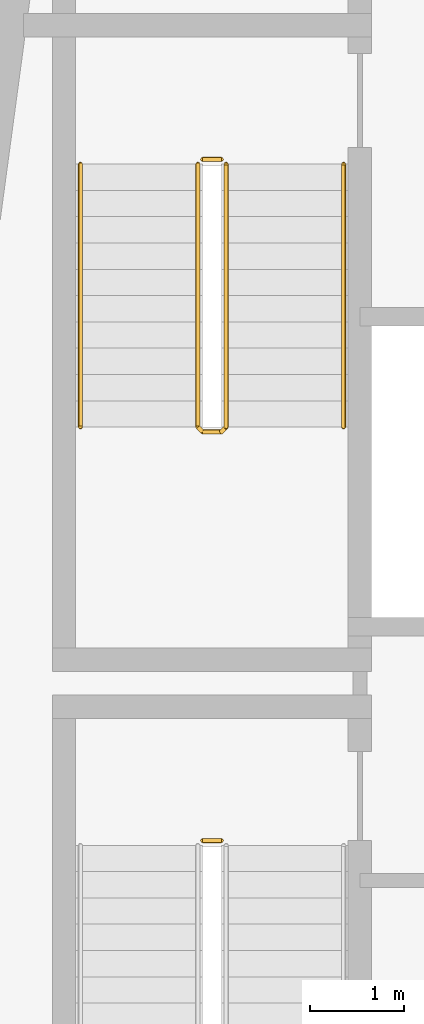
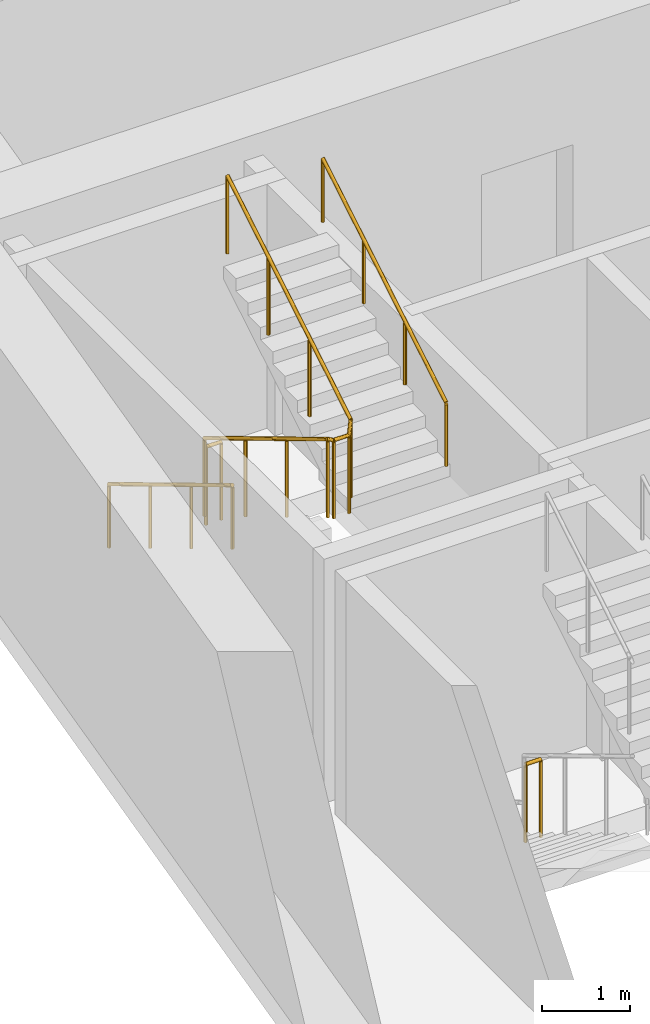
# One storey, part 9 of 12: 5 railings.
"""IFC4 building model written with IfcOpenShell, lengths in metres."""

from ifc_helpers import new_model, si_unit, direction, frame, origin, origin_2d, place, context, subcontext, project, spatial, circle, extrude, material, type_object, element, save


model = new_model("IFC4")

# Units and contexts
model_context = context("Model", 3, precision=1e-05, world=origin(), true_north=direction((0.0, 1.0)))
body_context = subcontext(model_context, "Body", "Model", "MODEL_VIEW")
ifc_project = project(units=[si_unit("LENGTHUNIT", "METRE"), si_unit("AREAUNIT", "SQUARE_METRE"), si_unit("VOLUMEUNIT", "CUBIC_METRE"), si_unit("PLANEANGLEUNIT", "RADIAN"), si_unit("MASSUNIT", "GRAM", prefix="KILO")], contexts=[model_context])

# Site, building, storey
site_placement = place(None, origin())
site = spatial("IfcSite", under=ifc_project, at=site_placement, CompositionType="ELEMENT")
building_placement = place(site_placement, origin())
building = spatial("IfcBuilding", under=site, at=building_placement, Name="Candeia Pilgrim Tower and Theatre", CompositionType="ELEMENT")
storey_placement = place(building_placement, frame((0.0, 0.0, 231.800048828125)))
storey = spatial("IfcBuildingStorey", under=building, at=storey_placement, Name="L56", CompositionType="ELEMENT", Elevation=231.800048828125)

# Railings
ifc_material_1 = material(Name="Stainless steel balustrade", Category="steel")
railing_type_1 = type_object("IfcRailingType", Name="RL-GUARD-1100", PredefinedType="GUARDRAIL", material=ifc_material_1)
railing_1_placement = place(storey_placement, frame((91.152099609375, 122.52490234375, 0.0)))
element("IfcRailing", 1, at=railing_1_placement, inside=storey, type_object=railing_type_1, Name="L56 ST1 stair guard 2", PredefinedType="GUARDRAIL", context=body_context, shape_type="SweptSolid", body=[
    extrude(circle(Radius=0.02392578125, at=origin_2d()), frame((0.0, 0.0, 1.076171875), z_axis=(1.0, 0.0, 0.0), x_axis=(0.0, 1.0, 0.0)), (0.0, 0.0, 1.0), 0.199951171875),
    extrude(circle(Radius=0.02099609375, at=origin_2d()), origin(), (0.0, 0.0, 1.0), 1.052001953125),
    extrude(circle(Radius=0.02099609375, at=origin_2d()), frame((0.199951171875, 0.0, 0.0)), (0.0, 0.0, 1.0), 1.052001953125),
])
railing_2_placement = place(storey_placement, frame((91.10205078125, 129.72509765625, 0.168212890625)))
element("IfcRailing", 2, at=railing_2_placement, inside=storey, type_object=railing_type_1, Name="L56 ST2 stair guard 1", PredefinedType="GUARDRAIL", context=body_context, shape_type="SweptSolid", body=[
    extrude(circle(Radius=0.02392578125, at=origin_2d()), frame((0.0, 0.0, 1.076171875), z_axis=(0.0, -0.857275202839, 0.514858452973), x_axis=(1.0, 0.0, 0.0)), (0.0, 0.0, 1.0), 3.26611328125),
    extrude(circle(Radius=0.02392578125, at=origin_2d()), frame((0.0, -2.800048828125, 2.7578125), z_axis=(0.707106781187, -0.707106781187, 0.0), x_axis=(0.707106781187, 0.707106781187, 0.0)), (0.0, 0.0, 1.0), 0.07080078125),
    extrude(circle(Radius=0.02392578125, at=origin_2d()), frame((0.050048828125, -2.85009765625, 2.7578125), z_axis=(1.0, 0.0, 0.0), x_axis=(0.0, 1.0, 0.0)), (0.0, 0.0, 1.0), 0.199951171875),
    extrude(circle(Radius=0.02392578125, at=origin_2d()), frame((0.25, -2.85009765625, 2.7578125), z_axis=(0.274243871929, 0.274243871929, 0.92172696468), x_axis=(-0.707106781187, 0.707106781187, 0.0)), (0.0, 0.0, 1.0), 0.1826171875),
    extrude(circle(Radius=0.02392578125, at=origin_2d()), frame((0.300048828125, -2.800048828125, 2.92578125), z_axis=(0.0, 0.857242210791, 0.514913383045), x_axis=(-1.0, 0.0, 0.0)), (0.0, 0.0, 1.0), 3.266357421875),
    extrude(circle(Radius=0.02099609375, at=origin_2d()), origin(), (0.0, 0.0, 1.0), 1.052001953125),
    extrude(circle(Radius=0.02099609375, at=origin_2d()), frame((0.0, -0.933349609375, 0.560546875)), (0.0, 0.0, 1.0), 1.052001953125),
    extrude(circle(Radius=0.02099609375, at=origin_2d()), frame((0.0, -1.86669921875, 1.12109375)), (0.0, 0.0, 1.0), 1.052001953125),
    extrude(circle(Radius=0.02099609375, at=origin_2d()), frame((0.0, -2.800048828125, 1.681640625)), (0.0, 0.0, 1.0), 1.052001953125),
    extrude(circle(Radius=0.02099609375, at=origin_2d()), frame((0.050048828125, -2.85009765625, 1.681640625)), (0.0, 0.0, 1.0), 1.052001953125),
    extrude(circle(Radius=0.02099609375, at=origin_2d()), frame((0.25, -2.85009765625, 1.681640625)), (0.0, 0.0, 1.0), 1.052001953125),
    extrude(circle(Radius=0.02099609375, at=origin_2d()), frame((0.300048828125, -2.800048828125, 1.849853515625)), (0.0, 0.0, 1.0), 1.052001953125),
    extrude(circle(Radius=0.02099609375, at=origin_2d()), frame((0.300048828125, -1.86669921875, 2.410400390625)), (0.0, 0.0, 1.0), 1.052001953125),
    extrude(circle(Radius=0.02099609375, at=origin_2d()), frame((0.300048828125, -0.933349609375, 2.97119140625)), (0.0, 0.0, 1.0), 1.052001953125),
    extrude(circle(Radius=0.02099609375, at=origin_2d()), frame((0.300048828125, 0.0, 3.53173828125)), (0.0, 0.0, 1.0), 1.052001953125),
])
railing_3_placement = place(storey_placement, frame((91.152099609375, 129.77490234375, 0.0)))
element("IfcRailing", 3, at=railing_3_placement, inside=storey, type_object=railing_type_1, Name="L56 ST2 stair guard 2", PredefinedType="GUARDRAIL", context=body_context, shape_type="SweptSolid", body=[
    extrude(circle(Radius=0.02392578125, at=origin_2d()), frame((0.0, 0.0, 1.076171875), z_axis=(1.0, 0.0, 0.0), x_axis=(0.0, 1.0, 0.0)), (0.0, 0.0, 1.0), 0.199951171875),
    extrude(circle(Radius=0.02099609375, at=origin_2d()), origin(), (0.0, 0.0, 1.0), 1.052001953125),
    extrude(circle(Radius=0.02099609375, at=origin_2d()), frame((0.199951171875, 0.0, 0.0)), (0.0, 0.0, 1.0), 1.052001953125),
])
ifc_material_2 = material(Name="Stainless steel handrail", Category="steel")
railing_type_2 = type_object("IfcRailingType", Name="RL-HANDRAIL-900", PredefinedType="HANDRAIL", material=ifc_material_2)
railing_4_placement = place(storey_placement, frame((89.85205078125, 129.72509765625, 0.168212890625)))
element("IfcRailing", 4, at=railing_4_placement, inside=storey, type_object=railing_type_2, Name="L56 ST2 stair handrail 1", PredefinedType="HANDRAIL", context=body_context, shape_type="SweptSolid", body=[
    extrude(circle(Radius=0.02392578125, at=origin_2d()), frame((0.0, 0.0, 0.8759765625), z_axis=(0.0, -0.857275202839, 0.514858452973), x_axis=(1.0, 0.0, 0.0)), (0.0, 0.0, 1.0), 3.26611328125),
    extrude(circle(Radius=0.02099609375, at=origin_2d()), origin(), (0.0, 0.0, 1.0), 0.851806640625),
    extrude(circle(Radius=0.02099609375, at=origin_2d()), frame((0.0, -0.933349609375, 0.560546875)), (0.0, 0.0, 1.0), 0.851806640625),
    extrude(circle(Radius=0.02099609375, at=origin_2d()), frame((0.0, -1.86669921875, 1.12109375)), (0.0, 0.0, 1.0), 0.851806640625),
    extrude(circle(Radius=0.02099609375, at=origin_2d()), frame((0.0, -2.800048828125, 1.681640625)), (0.0, 0.0, 1.0), 0.851806640625),
])
railing_5_placement = place(storey_placement, frame((92.652099609375, 126.925048828125, 2.01806640625)))
element("IfcRailing", 5, at=railing_5_placement, inside=storey, type_object=railing_type_2, Name="L56 ST2 stair handrail 2", PredefinedType="HANDRAIL", context=body_context, shape_type="SweptSolid", body=[
    extrude(circle(Radius=0.02392578125, at=origin_2d()), frame((0.0, 0.0, 0.8759765625), z_axis=(0.0, 0.857242210791, 0.514913383045), x_axis=(-1.0, 0.0, 0.0)), (0.0, 0.0, 1.0), 3.266357421875),
    extrude(circle(Radius=0.02099609375, at=origin_2d()), origin(), (0.0, 0.0, 1.0), 0.851806640625),
    extrude(circle(Radius=0.02099609375, at=origin_2d()), frame((0.0, 0.933349609375, 0.560546875)), (0.0, 0.0, 1.0), 0.851806640625),
    extrude(circle(Radius=0.02099609375, at=origin_2d()), frame((0.0, 1.86669921875, 1.121337890625)), (0.0, 0.0, 1.0), 0.851806640625),
    extrude(circle(Radius=0.02099609375, at=origin_2d()), frame((0.0, 2.800048828125, 1.681884765625)), (0.0, 0.0, 1.0), 0.851806640625),
])

save(model, "model.ifc")
